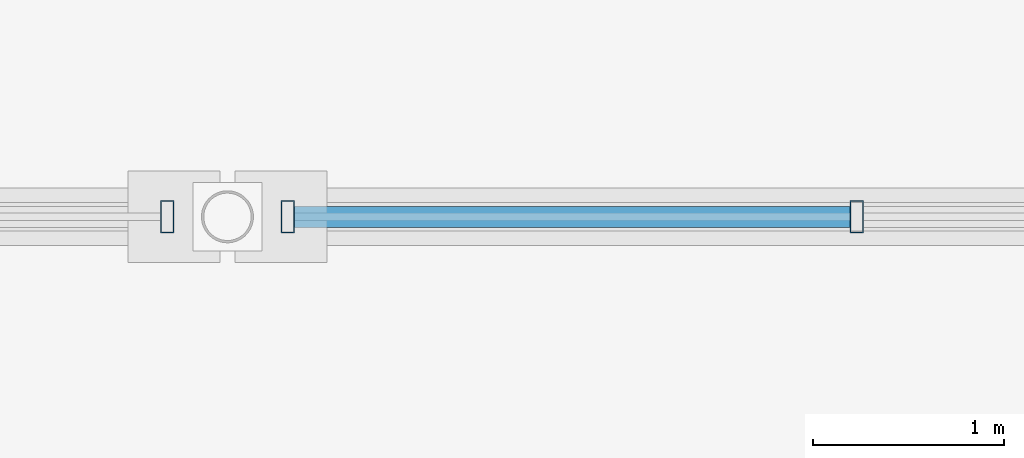
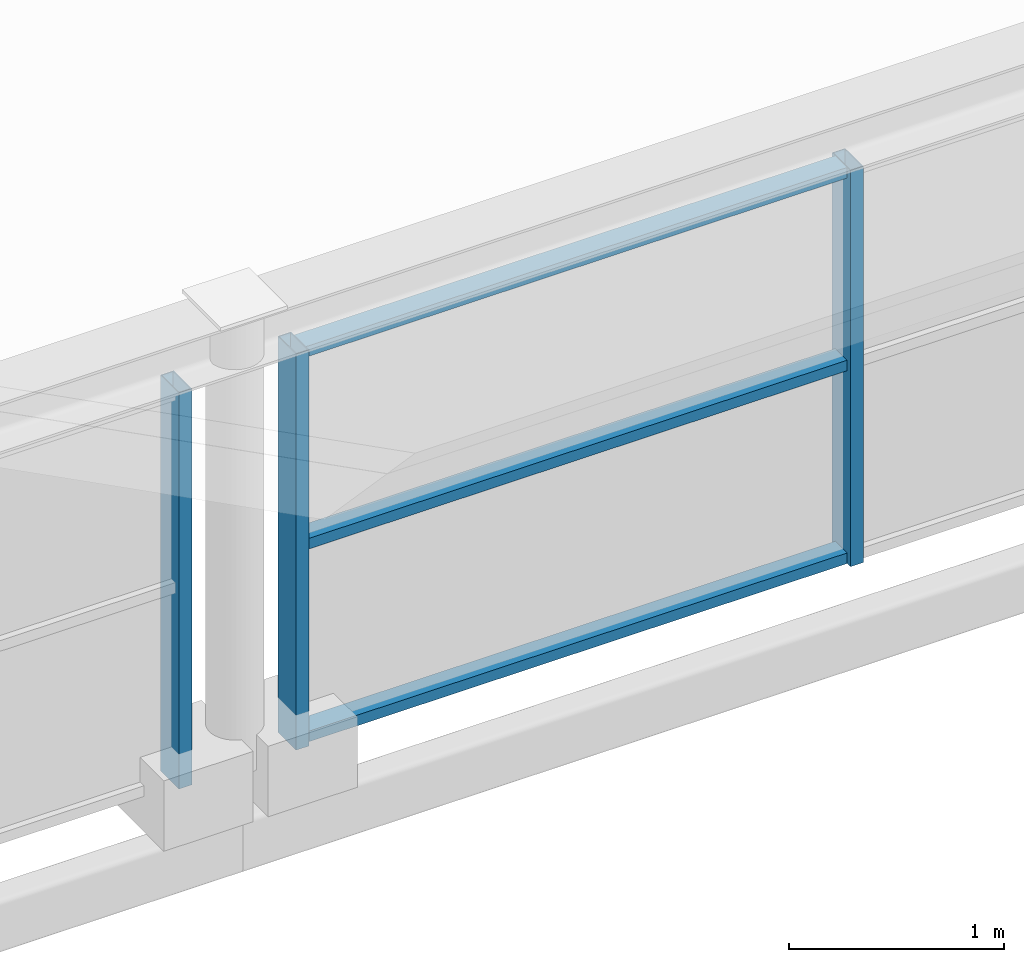
# One storey, part 42 of 117: 6 members, 2 elements without a shape of their own.
"""IFC4 building model written with IfcOpenShell, lengths in metres."""

from ifc_helpers import new_model, si_unit, direction, frame, origin, origin_2d, place, context, subcontext, project, spatial, hollow_rectangle, extrude, material, material_profile, profile_set, type_object, element, aggregate, save


model = new_model("IFC4")

# Units and contexts
model_context = context("Model", 3, precision=1e-05, world=origin(), true_north=direction((0.0, 1.0)))
body_context = subcontext(model_context, "Body", "Model", "MODEL_VIEW")
ifc_project = project(units=[si_unit("LENGTHUNIT", "METRE"), si_unit("AREAUNIT", "SQUARE_METRE"), si_unit("VOLUMEUNIT", "CUBIC_METRE"), si_unit("PLANEANGLEUNIT", "RADIAN"), si_unit("MASSUNIT", "GRAM", prefix="KILO")], contexts=[model_context])

# Site, building, storey
site_placement = place(None, origin())
site = spatial("IfcSite", under=ifc_project, at=site_placement, CompositionType="ELEMENT")
building_placement = place(site_placement, origin())
building = spatial("IfcBuilding", under=site, at=building_placement, Name="Merenkruunu Market Hall", CompositionType="ELEMENT")
storey_placement = place(building_placement, frame((0.0, 0.0, 10.199951171875)))
storey = spatial("IfcBuildingStorey", under=building, at=storey_placement, Name="L02", CompositionType="ELEMENT", Elevation=10.199951171875)

# Curtain wall, member
ifc_material = material(Name="Powder-coated aluminium", Category="aluminium")
curtain_wall_type = type_object("IfcCurtainWallType", Name="Glazed Curtain Wall CW16", PredefinedType="USERDEFINED", material=ifc_material)
curtain_wall_1_placement = place(storey_placement, origin())
curtain_wall_1 = element("IfcCurtainWall", 1, at=curtain_wall_1_placement, inside=storey, type_object=curtain_wall_type, Name="CW-L02-CWM04-141", ObjectType="GLAZED_FACADE", PredefinedType="USERDEFINED")
ifc_material_profile_1 = material_profile(ifc_material, hollow_rectangle(XDim=0.070068359375, YDim=0.169921875, WallThickness=0.0048828125, at=origin_2d()), Name="ALU 70x170x5")
ifc_profile_set_1 = profile_set([ifc_material_profile_1], Name="Powder-coated aluminium")
member_type_1 = type_object("IfcMemberType", Name="Curtain Wall Mullion CWM04", PredefinedType="MULLION", material=ifc_profile_set_1)
member_1_placement = place(storey_placement, frame((66.885009765625, 15.60009765625, 0.0), z_axis=(0.0, 0.0, 1.0), x_axis=(-1.0, 0.0, 0.0)))
member_1 = element("IfcMember", 2, at=member_1_placement, type_object=member_type_1, Name="CW16 mullion 1", PredefinedType="MULLION", context=body_context, shape_type="SweptSolid", body=[
    extrude(hollow_rectangle(XDim=0.070068359375, YDim=0.169921875, WallThickness=0.0048828125, at=origin_2d()), origin(), (0.0, 0.0, 1.0), 2.25),
])
aggregate(curtain_wall_1, [member_1])

# Curtain wall, members
curtain_wall_2_placement = place(storey_placement, origin())
curtain_wall_2 = element("IfcCurtainWall", 3, at=curtain_wall_2_placement, inside=storey, type_object=curtain_wall_type, Name="CW-L02-CWM04-147", ObjectType="GLAZED_FACADE", PredefinedType="USERDEFINED")
member_2_placement = place(storey_placement, frame((70.493408203125, 15.60009765625, 0.0), z_axis=(0.0, 0.0, 1.0), x_axis=(-1.0, 0.0, 0.0)))
member_2 = element("IfcMember", 4, at=member_2_placement, type_object=member_type_1, Name="CW16 mullion 3", PredefinedType="MULLION", context=body_context, shape_type="SweptSolid", body=[
    extrude(hollow_rectangle(XDim=0.070068359375, YDim=0.169921875, WallThickness=0.0048828125, at=origin_2d()), origin(), (0.0, 0.0, 1.0), 2.25),
])
member_3_placement = place(storey_placement, frame((67.514892578125, 15.60009765625, 0.0), z_axis=(0.0, 0.0, 1.0), x_axis=(-1.0, 0.0, 0.0)))
member_3 = element("IfcMember", 5, at=member_3_placement, type_object=member_type_1, Name="CW16 mullion 4", PredefinedType="MULLION", context=body_context, shape_type="SweptSolid", body=[
    extrude(hollow_rectangle(XDim=0.070068359375, YDim=0.169921875, WallThickness=0.0048828125, at=origin_2d()), origin(), (0.0, 0.0, 1.0), 2.25),
])
ifc_material_profile_2 = material_profile(ifc_material, hollow_rectangle(XDim=0.06005859375, YDim=0.110107421875, WallThickness=0.00390625, at=origin_2d()), Name="ALU 60x110x4")
ifc_profile_set_2 = profile_set([ifc_material_profile_2], Name="Powder-coated aluminium")
member_type_2 = type_object("IfcMemberType", Name="Curtain Wall Transom CWT03", PredefinedType="USERDEFINED", material=ifc_profile_set_2)
member_4_placement = place(storey_placement, frame((70.458251953125, 15.60009765625, 0.030029296875), z_axis=(-1.0, 0.0, 0.0), x_axis=(0.0, 0.0, 1.0)))
member_4 = element("IfcMember", 6, at=member_4_placement, type_object=member_type_2, Name="CW16 transom 3.1", ObjectType="TRANSOM", PredefinedType="USERDEFINED", context=body_context, shape_type="SweptSolid", body=[
    extrude(hollow_rectangle(XDim=0.06005859375, YDim=0.110107421875, WallThickness=0.00390625, at=origin_2d()), origin(), (0.0, 0.0, 1.0), 2.908203125),
])
member_5_placement = place(storey_placement, frame((70.458251953125, 15.60009765625, 1.125), z_axis=(-1.0, 0.0, 0.0), x_axis=(0.0, 0.0, 1.0)))
member_5 = element("IfcMember", 7, at=member_5_placement, type_object=member_type_2, Name="CW16 transom 3.2", ObjectType="TRANSOM", PredefinedType="USERDEFINED", context=body_context, shape_type="SweptSolid", body=[
    extrude(hollow_rectangle(XDim=0.06005859375, YDim=0.110107421875, WallThickness=0.00390625, at=origin_2d()), origin(), (0.0, 0.0, 1.0), 2.908203125),
])
member_6_placement = place(storey_placement, frame((70.458251953125, 15.60009765625, 2.219970703125), z_axis=(-1.0, 0.0, 0.0), x_axis=(0.0, 0.0, 1.0)))
member_6 = element("IfcMember", 8, at=member_6_placement, type_object=member_type_2, Name="CW16 transom 3.3", ObjectType="TRANSOM", PredefinedType="USERDEFINED", context=body_context, shape_type="SweptSolid", body=[
    extrude(hollow_rectangle(XDim=0.06005859375, YDim=0.110107421875, WallThickness=0.00390625, at=origin_2d()), origin(), (0.0, 0.0, 1.0), 2.908203125),
])
aggregate(curtain_wall_2, [member_2, member_3, member_4, member_5, member_6])

save(model, "model.ifc")
